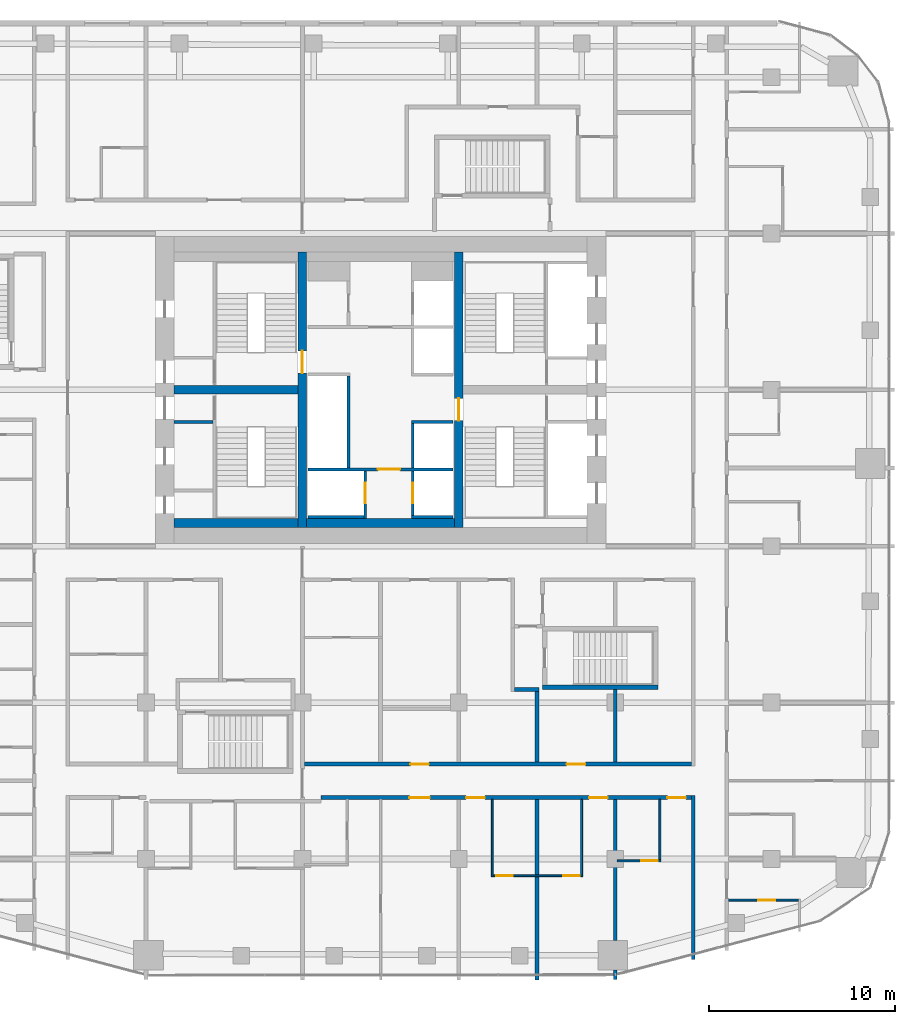
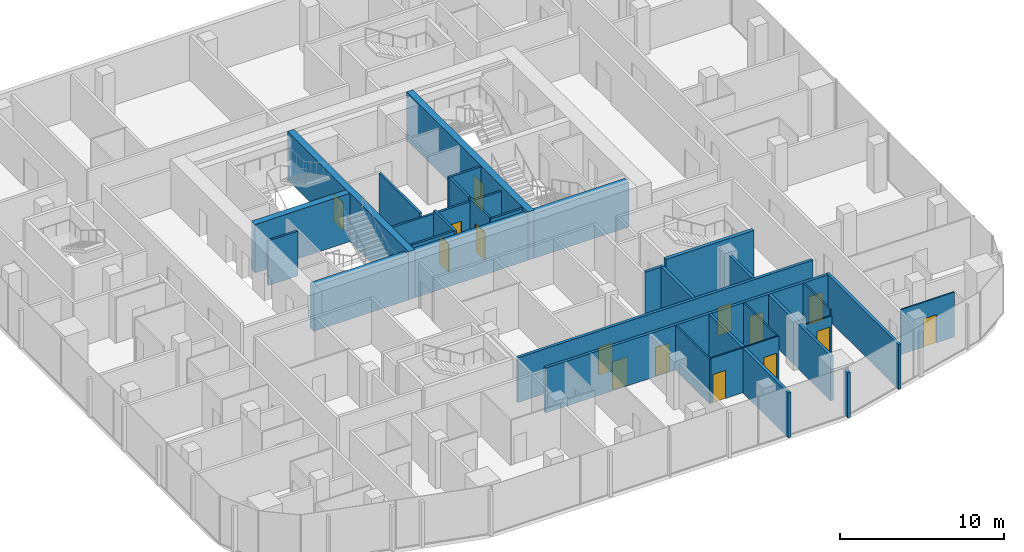
# One storey, part 16 of 23: 29 walls, 15 doors, 15 openings.
"""IFC4 building model written with IfcOpenShell, lengths in metres."""

from ifc_helpers import new_model, si_unit, direction, frame, frame_2d, origin, place, context, subcontext, project, spatial, rectangle, extrude, material, layer, layer_set, type_object, element, fill, save


model = new_model("IFC4")

# Units and contexts
model_context = context("Model", 3, precision=1e-05, world=origin(), true_north=direction((0.0, 1.0)))
body_context = subcontext(model_context, "Body", "Model", "MODEL_VIEW")
ifc_project = project(units=[si_unit("LENGTHUNIT", "METRE"), si_unit("AREAUNIT", "SQUARE_METRE"), si_unit("VOLUMEUNIT", "CUBIC_METRE"), si_unit("PLANEANGLEUNIT", "RADIAN"), si_unit("MASSUNIT", "GRAM", prefix="KILO")], contexts=[model_context])

# Site, building, storey
site_placement = place(None, origin())
site = spatial("IfcSite", under=ifc_project, at=site_placement, CompositionType="ELEMENT")
building_placement = place(site_placement, origin())
building = spatial("IfcBuilding", under=site, at=building_placement, Name="Marenta Gate Hotel Tower", CompositionType="ELEMENT")
storey_placement = place(building_placement, frame((0.0, 0.0, 155.300048828125)))
storey = spatial("IfcBuildingStorey", under=building, at=storey_placement, Name="L36", CompositionType="ELEMENT", Elevation=155.300048828125)

# Wall
ifc_material_1 = material(Name="Concrete C40", Category="concrete")
ifc_layer_1 = layer(ifc_material_1, 0.5)
ifc_layer_set_1 = layer_set([ifc_layer_1], Name="Concrete C40")
wall_type_1 = type_object("IfcWallType", Name="Core lining wall 500 REI 180", PredefinedType="PARTITIONING", material=ifc_layer_set_1)
wall_1_placement = place(storey_placement, frame((-11.10009765625, 1.25, 0.0), z_axis=(0.0, 0.0, 1.0), x_axis=(1.0, 0.0, 0.0)))
element("IfcWall", 1, at=wall_1_placement, inside=storey, type_object=wall_type_1, Name="L36-CP-LN-S", PredefinedType="PARTITIONING", context=body_context, shape_type="SweptSolid", body=[
    extrude(rectangle(XDim=22.2001953125, YDim=0.5, at=frame_2d((11.10009765625, 0.0))), origin(), (0.0, 0.0, 1.0), 3.33984375),
])

# Wall, opening, door
ifc_material_2 = material(Name="Concrete blockwork", Category="masonry")
ifc_layer_2 = layer(ifc_material_2, 0.14990234375)
ifc_layer_set_2 = layer_set([ifc_layer_2], Name="Concrete blockwork")
wall_type_2 = type_object("IfcWallType", Name="Core lobby partition 150 REI 180", PredefinedType="PARTITIONING", material=ifc_layer_set_2)
wall_2_placement = place(storey_placement, frame((-3.89990234375, 4.125, 0.0), z_axis=(0.0, 0.0, 1.0), x_axis=(1.0, 0.0, 0.0)))
wall_2 = element("IfcWall", 2, at=wall_2_placement, inside=storey, type_object=wall_type_2, Name="L36-CP-CW-S", PredefinedType="PARTITIONING", context=body_context, shape_type="SweptSolid", body=[
    extrude(rectangle(XDim=7.7998046875, YDim=0.14990234375, at=frame_2d((3.89990234375, 0.0))), origin(), (0.0, 0.0, 1.0), 3.33984375),
])
opening_1_placement = place(wall_2_placement, frame((3.75, 0.0, 0.0)))
opening_1 = element("IfcOpeningElement", 3, at=opening_1_placement, cuts=wall_2, Name="Opening FD-FFS", PredefinedType="OPENING", context=body_context, shape_type="SweptSolid", body=[
    extrude(rectangle(XDim=1.199951171875, YDim=2.10009765625, at=frame_2d((0.60009765625, 1.050048828125))), frame((0.0, 0.074951171875, 0.0), z_axis=(0.0, -1.0, 0.0), x_axis=(1.0, 0.0, 0.0)), (0.0, 0.0, 1.0), 0.14990234375),
])
ifc_material_3 = material(Name="Steel", Category="steel")
door_type_1 = type_object("IfcDoorType", Name="Core lobby door 1200x2100 FD60", OperationType="SINGLE_SWING_LEFT", PredefinedType="DOOR", material=ifc_material_3)
door_1_placement = place(opening_1_placement, origin())
door_1 = element("IfcDoor", 4, at=door_1_placement, inside=storey, type_object=door_type_1, Name="FD-FFS", OperationType="SINGLE_SWING_LEFT", OverallHeight=2.10009765625, OverallWidth=1.199951171875, PredefinedType="DOOR", context=body_context, shape_type="SweptSolid", body=[
    extrude(rectangle(XDim=1.199951171875, YDim=2.10009765625, at=frame_2d((0.60009765625, 1.050048828125))), frame((0.0, 0.02490234375, 0.0), z_axis=(0.0, -1.0, 0.0), x_axis=(1.0, 0.0, 0.0)), (0.0, 0.0, 1.0), 0.050048828125),
])
fill(opening_1, door_1)

# Wall
ifc_material_4 = material(Name="Concrete blockwork", Category="masonry")
ifc_layer_3 = layer(ifc_material_4, 0.14990234375)
ifc_layer_set_3 = layer_set([ifc_layer_3], Name="Concrete blockwork")
wall_type_3 = type_object("IfcWallType", Name="Core room partition 150 REI 180", PredefinedType="PARTITIONING", material=ifc_layer_set_3)
wall_3_placement = place(storey_placement, frame((-11.10009765625, 6.675048828125, 0.0), z_axis=(0.0, 0.0, 1.0), x_axis=(1.0, 0.0, 0.0)))
element("IfcWall", 5, at=wall_3_placement, inside=storey, type_object=wall_type_3, Name="L36-CP-SW-WS-2", PredefinedType="PARTITIONING", context=body_context, shape_type="SweptSolid", body=[
    extrude(rectangle(XDim=2.10009765625, YDim=0.14990234375, at=frame_2d((1.050048828125, 0.0))), origin(), (0.0, 0.0, 1.0), 3.33984375),
])

# Wall, opening, door
ifc_material_5 = material(Name="Concrete C40", Category="concrete")
ifc_layer_4 = layer(ifc_material_5, 0.14990234375)
ifc_layer_set_4 = layer_set([ifc_layer_4], Name="Concrete C40")
wall_type_4 = type_object("IfcWallType", Name="Core shaft wall 150 REI 180", PredefinedType="SHEAR", material=ifc_layer_set_4)
wall_4_placement = place(storey_placement, frame((-0.824951171875, 1.5, 0.0), z_axis=(0.0, 0.0, 1.0), x_axis=(0.0, 1.0, 0.0)))
wall_4 = element("IfcWall", 6, at=wall_4_placement, inside=storey, type_object=wall_type_4, Name="L36-SHF-CW-W-ff", PredefinedType="SHEAR", context=body_context, shape_type="SweptSolid", body=[
    extrude(rectangle(XDim=2.550048828125, YDim=0.14990234375, at=frame_2d((1.27490234375, 0.0))), origin(), (0.0, 0.0, 1.0), 3.599853515625),
])
opening_2_placement = place(wall_4_placement, frame((0.800048828125, 0.0, 0.0)))
opening_2 = element("IfcOpeningElement", 7, at=opening_2_placement, cuts=wall_4, Name="Opening LD-FF1", PredefinedType="OPENING", context=body_context, shape_type="SweptSolid", body=[
    extrude(rectangle(XDim=1.10009765625, YDim=2.10009765625, at=frame_2d((0.550048828125, 1.050048828125))), frame((0.0, 0.074951171875, 0.0), z_axis=(0.0, -1.0, 0.0), x_axis=(1.0, 0.0, 0.0)), (0.0, 0.0, 1.0), 0.14990234375),
])
ifc_material_6 = material(Name="Steel", Category="steel")
door_type_2 = type_object("IfcDoorType", Name="Core lift landing door 1100x2100 E 60", OperationType="SLIDING_TO_LEFT", PredefinedType="DOOR", material=ifc_material_6)
door_2_placement = place(opening_2_placement, origin())
door_2 = element("IfcDoor", 8, at=door_2_placement, inside=storey, type_object=door_type_2, Name="LD-FF1", OperationType="SLIDING_TO_LEFT", OverallHeight=2.10009765625, OverallWidth=1.10009765625, PredefinedType="DOOR", context=body_context, shape_type="SweptSolid", body=[
    extrude(rectangle(XDim=1.10009765625, YDim=2.10009765625, at=frame_2d((0.550048828125, 1.050048828125))), frame((0.0, 0.02490234375, 0.0), z_axis=(0.0, -1.0, 0.0), x_axis=(1.0, 0.0, 0.0)), (0.0, 0.0, 1.0), 0.050048828125),
])
fill(opening_2, door_2)

# Walls
wall_5_placement = place(storey_placement, frame((-3.89990234375, 1.574951171875, 0.0), z_axis=(0.0, 0.0, 1.0), x_axis=(1.0, 0.0, 0.0)))
element("IfcWall", 9, at=wall_5_placement, inside=storey, type_object=wall_type_4, Name="L36-SHF-CW-W-ffs", PredefinedType="SHEAR", context=body_context, shape_type="SweptSolid", body=[
    extrude(rectangle(XDim=3.0, YDim=0.14990234375, at=frame_2d((1.5, 0.0))), origin(), (0.0, 0.0, 1.0), 3.599853515625),
])
wall_6_placement = place(storey_placement, frame((-1.72509765625, 4.199951171875, 0.0), z_axis=(0.0, 0.0, 1.0), x_axis=(0.0, 1.0, 0.0)))
element("IfcWall", 10, at=wall_6_placement, inside=storey, type_object=wall_type_4, Name="L36-SHF-CW-W-front", PredefinedType="SHEAR", context=body_context, shape_type="SweptSolid", body=[
    extrude(rectangle(XDim=4.949951171875, YDim=0.14990234375, at=frame_2d((2.47509765625, 0.0))), origin(), (0.0, 0.0, 1.0), 3.599853515625),
])

# Wall, opening, door
wall_7_placement = place(storey_placement, frame((1.72509765625, 1.64990234375, 0.0), z_axis=(0.0, 0.0, 1.0), x_axis=(0.0, 1.0, 0.0)))
wall_7 = element("IfcWall", 11, at=wall_7_placement, inside=storey, type_object=wall_type_4, Name="L36-SHF-CE-S-ls", PredefinedType="SHEAR", context=body_context, shape_type="SweptSolid", body=[
    extrude(rectangle(XDim=2.400146484375, YDim=0.14990234375, at=frame_2d((1.2001953125, 0.0))), origin(), (0.0, 0.0, 1.0), 3.599853515625),
])
opening_3_placement = place(wall_7_placement, frame((0.64990234375, 0.0, 0.0)))
opening_3 = element("IfcOpeningElement", 12, at=opening_3_placement, cuts=wall_7, Name="Opening LD-SV1", PredefinedType="OPENING", context=body_context, shape_type="SweptSolid", body=[
    extrude(rectangle(XDim=1.10009765625, YDim=2.10009765625, at=frame_2d((0.550048828125, 1.050048828125))), frame((0.0, 0.074951171875, 0.0), z_axis=(0.0, -1.0, 0.0), x_axis=(1.0, 0.0, 0.0)), (0.0, 0.0, 1.0), 0.14990234375),
])
door_3_placement = place(opening_3_placement, origin())
door_3 = element("IfcDoor", 13, at=door_3_placement, inside=storey, type_object=door_type_2, Name="LD-SV1", OperationType="SLIDING_TO_LEFT", OverallHeight=2.10009765625, OverallWidth=1.10009765625, PredefinedType="DOOR", context=body_context, shape_type="SweptSolid", body=[
    extrude(rectangle(XDim=1.10009765625, YDim=2.10009765625, at=frame_2d((0.550048828125, 1.050048828125))), frame((0.0, 0.02490234375, 0.0), z_axis=(0.0, -1.0, 0.0), x_axis=(1.0, 0.0, 0.0)), (0.0, 0.0, 1.0), 0.050048828125),
])
fill(opening_3, door_3)

# Walls
for number, where, z_axis, x_axis, name in (
    (14, (1.64990234375, 1.574951171875, 0.0), (0.0, 0.0, 1.0), (1.0, 0.0, 0.0), "L36-SHF-CE-S-bot"),
    (15, (1.64990234375, 6.675048828125, 0.0), (0.0, 0.0, 1.0), (1.0, 0.0, 0.0), "L36-SHF-CE-sep1"),
):
    element("IfcWall", number, at=place(storey_placement, frame(where, z_axis=z_axis, x_axis=x_axis)), inside=storey, type_object=wall_type_4, Name=name, PredefinedType="SHEAR", context=body_context, shape_type="SweptSolid", body=[
        extrude(rectangle(XDim=2.25, YDim=0.14990234375, at=frame_2d((1.125, 0.0))), origin(), (0.0, 0.0, 1.0), 3.599853515625),
    ])
wall_8_placement = place(storey_placement, frame((1.72509765625, 4.199951171875, 0.0), z_axis=(0.0, 0.0, 1.0), x_axis=(0.0, 1.0, 0.0)))
element("IfcWall", 16, at=wall_8_placement, inside=storey, type_object=wall_type_4, Name="L36-SHF-CE-front-1", PredefinedType="SHEAR", context=body_context, shape_type="SweptSolid", body=[
    extrude(rectangle(XDim=2.400146484375, YDim=0.14990234375, at=frame_2d((1.2001953125, 0.0))), origin(), (0.0, 0.0, 1.0), 3.599853515625),
])

# Wall, opening, door
ifc_material_7 = material(Name="Concrete C70", Category="concrete")
ifc_layer_5 = layer(ifc_material_7, 0.449951171875)
ifc_layer_set_5 = layer_set([ifc_layer_5], Name="Concrete C70")
wall_type_5 = type_object("IfcWallType", Name="Core web 450 C70", PredefinedType="SHEAR", material=ifc_layer_set_5)
wall_9_placement = place(storey_placement, frame((-4.199951171875, 1.0, 0.0), z_axis=(0.0, 0.0, 1.0), x_axis=(0.0, 1.0, 0.0)))
wall_9 = element("IfcWall", 17, at=wall_9_placement, inside=storey, type_object=wall_type_5, Name="L36-CORE-W1", PredefinedType="SHEAR", context=body_context, shape_type="SweptSolid", body=[
    extrude(rectangle(XDim=14.800048828125, YDim=0.449951171875, at=frame_2d((7.39990234375, 0.0))), origin(), (0.0, 0.0, 1.0), 3.599853515625),
])
opening_4_placement = place(wall_9_placement, frame((8.300048828125, 0.0, 0.0)))
opening_4 = element("IfcOpeningElement", 18, at=opening_4_placement, cuts=wall_9, Name="Opening WD-W", PredefinedType="OPENING", context=body_context, shape_type="SweptSolid", body=[
    extrude(rectangle(XDim=1.199951171875, YDim=2.10009765625, at=frame_2d((0.60009765625, 1.050048828125))), frame((0.0, 0.22509765625, 0.0), z_axis=(0.0, -1.0, 0.0), x_axis=(1.0, 0.0, 0.0)), (0.0, 0.0, 1.0), 0.449951171875),
])
ifc_material_8 = material(Name="Steel", Category="steel")
door_type_3 = type_object("IfcDoorType", Name="Core stair door 1200x2100 FD60", OperationType="SINGLE_SWING_LEFT", PredefinedType="DOOR", material=ifc_material_8)
door_4_placement = place(opening_4_placement, origin())
door_4 = element("IfcDoor", 19, at=door_4_placement, inside=storey, type_object=door_type_3, Name="WD-W", OperationType="SINGLE_SWING_LEFT", OverallHeight=2.10009765625, OverallWidth=1.199951171875, PredefinedType="DOOR", context=body_context, shape_type="SweptSolid", body=[
    extrude(rectangle(XDim=1.199951171875, YDim=2.10009765625, at=frame_2d((0.60009765625, 1.050048828125))), frame((0.0, 0.02490234375, 0.0), z_axis=(0.0, -1.0, 0.0), x_axis=(1.0, 0.0, 0.0)), (0.0, 0.0, 1.0), 0.050048828125),
])
fill(opening_4, door_4)

wall_10_placement = place(storey_placement, frame((4.199951171875, 1.0, 0.0), z_axis=(0.0, 0.0, 1.0), x_axis=(0.0, 1.0, 0.0)))
wall_10 = element("IfcWall", 20, at=wall_10_placement, inside=storey, type_object=wall_type_5, Name="L36-CORE-W2", PredefinedType="SHEAR", context=body_context, shape_type="SweptSolid", body=[
    extrude(rectangle(XDim=14.800048828125, YDim=0.449951171875, at=frame_2d((7.39990234375, 0.0))), origin(), (0.0, 0.0, 1.0), 3.599853515625),
])
opening_5_placement = place(wall_10_placement, frame((5.75, 0.0, 0.0)))
opening_5 = element("IfcOpeningElement", 21, at=opening_5_placement, cuts=wall_10, Name="Opening WD-E", PredefinedType="OPENING", context=body_context, shape_type="SweptSolid", body=[
    extrude(rectangle(XDim=1.199951171875, YDim=2.10009765625, at=frame_2d((0.60009765625, 1.050048828125))), frame((0.0, 0.22509765625, 0.0), z_axis=(0.0, -1.0, 0.0), x_axis=(1.0, 0.0, 0.0)), (0.0, 0.0, 1.0), 0.449951171875),
])
door_5_placement = place(opening_5_placement, origin())
door_5 = element("IfcDoor", 22, at=door_5_placement, inside=storey, type_object=door_type_3, Name="WD-E", OperationType="SINGLE_SWING_LEFT", OverallHeight=2.10009765625, OverallWidth=1.199951171875, PredefinedType="DOOR", context=body_context, shape_type="SweptSolid", body=[
    extrude(rectangle(XDim=1.199951171875, YDim=2.10009765625, at=frame_2d((0.60009765625, 1.050048828125))), frame((0.0, 0.02490234375, 0.0), z_axis=(0.0, -1.0, 0.0), x_axis=(1.0, 0.0, 0.0)), (0.0, 0.0, 1.0), 0.050048828125),
])
fill(opening_5, door_5)

# Walls
wall_11_placement = place(storey_placement, frame((-11.10009765625, 8.39990234375, 0.0), z_axis=(0.0, 0.0, 1.0), x_axis=(1.0, 0.0, 0.0)))
element("IfcWall", 23, at=wall_11_placement, inside=storey, type_object=wall_type_5, Name="L36-CORE-W3", PredefinedType="SHEAR", context=body_context, shape_type="SweptSolid", body=[
    extrude(rectangle(XDim=6.675048828125, YDim=0.449951171875, at=frame_2d((3.33740234375, 0.0))), origin(), (0.0, 0.0, 1.0), 3.599853515625),
])
ifc_material_9 = material(Name="Concrete C40", Category="concrete")
ifc_layer_6 = layer(ifc_material_9, 0.25)
ifc_layer_set_6 = layer_set([ifc_layer_6], Name="Concrete C40")
wall_type_6 = type_object("IfcWallType", Name="Remote stair enclosure wall 250 REI 180", PredefinedType="SHEAR", material=ifc_layer_set_6)
wall_12_placement = place(storey_placement, frame((8.699951171875, -7.574951171875, 0.099853515625), z_axis=(0.0, 0.0, 1.0), x_axis=(1.0, 0.0, 0.0)))
element("IfcWall", 24, at=wall_12_placement, inside=storey, type_object=wall_type_6, Name="L36-RS-Z2-2-W1", PredefinedType="SHEAR", context=body_context, shape_type="SweptSolid", body=[
    extrude(rectangle(XDim=6.199951171875, YDim=0.25, at=frame_2d((3.10009765625, 0.0))), origin(), (0.0, 0.0, 1.0), 3.60009765625),
])

# Wall, openings, doors
ifc_material_10 = material(Name="Concrete blockwork", Category="masonry")
ifc_layer_7 = layer(ifc_material_10, 0.199951171875)
ifc_layer_set_7 = layer_set([ifc_layer_7], Name="Concrete blockwork")
wall_type_7 = type_object("IfcWallType", Name="Room corridor wall 200 EI 120", PredefinedType="PARTITIONING", material=ifc_layer_set_7)
wall_13_placement = place(storey_placement, frame((-4.10009765625, -11.699951171875, 0.0), z_axis=(0.0, 0.0, 1.0), x_axis=(1.0, 0.0, 0.0)))
wall_13 = element("IfcWall", 25, at=wall_13_placement, inside=storey, type_object=wall_type_7, Name="L36-PTN-W034", PredefinedType="PARTITIONING", context=body_context, shape_type="SweptSolid", body=[
    extrude(rectangle(XDim=20.800048828125, YDim=0.199951171875, at=frame_2d((10.39990234375, 0.0))), origin(), (0.0, 0.0, 1.0), 3.33984375),
])
opening_6_placement = place(wall_13_placement, frame((14.10009765625, 0.0, 0.0)))
opening_6 = element("IfcOpeningElement", 26, at=opening_6_placement, cuts=wall_13, Name="Opening G13-63", PredefinedType="OPENING", context=body_context, shape_type="SweptSolid", body=[
    extrude(rectangle(XDim=1.0, YDim=2.10009765625, at=frame_2d((0.5, 1.050048828125))), frame((0.0, 0.10009765625, 0.0), z_axis=(0.0, -1.0, 0.0), x_axis=(1.0, 0.0, 0.0)), (0.0, 0.0, 1.0), 0.199951171875),
])
opening_7_placement = place(wall_13_placement, frame((5.699951171875, 0.0, 0.0)))
opening_7 = element("IfcOpeningElement", 27, at=opening_7_placement, cuts=wall_13, Name="Opening G13-67", PredefinedType="OPENING", context=body_context, shape_type="SweptSolid", body=[
    extrude(rectangle(XDim=1.0, YDim=2.10009765625, at=frame_2d((0.5, 1.050048828125))), frame((0.0, 0.10009765625, 0.0), z_axis=(0.0, -1.0, 0.0), x_axis=(1.0, 0.0, 0.0)), (0.0, 0.0, 1.0), 0.199951171875),
])
ifc_material_11 = material(Name="Timber door leaf", Category="wood")
door_type_4 = type_object("IfcDoorType", Name="Room amenity door 1000x2100 EI 60", OperationType="NOTDEFINED", PredefinedType="DOOR", material=ifc_material_11)
door_6_placement = place(opening_6_placement, origin())
door_6 = element("IfcDoor", 28, at=door_6_placement, inside=storey, type_object=door_type_4, Name="L36-PD-D063", OperationType="SINGLE_SWING_LEFT", OverallHeight=2.10009765625, OverallWidth=1.0, PredefinedType="DOOR", context=body_context, shape_type="SweptSolid", body=[
    extrude(rectangle(XDim=1.0, YDim=2.10009765625, at=frame_2d((0.5, 1.050048828125))), frame((0.0, 0.02490234375, 0.0), z_axis=(0.0, -1.0, 0.0), x_axis=(1.0, 0.0, 0.0)), (0.0, 0.0, 1.0), 0.050048828125),
])
fill(opening_6, door_6)
door_7_placement = place(opening_7_placement, origin())
door_7 = element("IfcDoor", 29, at=door_7_placement, inside=storey, type_object=door_type_4, Name="L36-PD-D067", OperationType="SINGLE_SWING_LEFT", OverallHeight=2.10009765625, OverallWidth=1.0, PredefinedType="DOOR", context=body_context, shape_type="SweptSolid", body=[
    extrude(rectangle(XDim=1.0, YDim=2.10009765625, at=frame_2d((0.5, 1.050048828125))), frame((0.0, 0.02490234375, 0.0), z_axis=(0.0, -1.0, 0.0), x_axis=(1.0, 0.0, 0.0)), (0.0, 0.0, 1.0), 0.050048828125),
])
fill(opening_7, door_7)

# Wall
ifc_material_12 = material(Name="Gypsum board on steel stud", Category="steel")
ifc_layer_8 = layer(ifc_material_12, 0.199951171875)
ifc_layer_set_8 = layer_set([ifc_layer_8], Name="Gypsum board on steel stud")
wall_type_8 = type_object("IfcWallType", Name="Room corridor wall 200 EI 60", PredefinedType="PARTITIONING", material=ifc_layer_set_8)
wall_14_placement = place(storey_placement, frame((16.800048828125, -22.18603515625, 0.0), z_axis=(0.0, 0.0, 1.0), x_axis=(0.0, 1.0, 0.0)))
element("IfcWall", 30, at=wall_14_placement, inside=storey, type_object=wall_type_8, Name="L36-PTN-W015", PredefinedType="PARTITIONING", context=body_context, shape_type="SweptSolid", body=[
    extrude(rectangle(XDim=8.7861328125, YDim=0.199951171875, at=frame_2d((4.39306640625, 0.0))), origin(), (0.0, 0.0, 1.0), 3.33984375),
])

# Wall, openings, doors
wall_15_placement = place(storey_placement, frame((-3.199951171875, -13.5, 0.0), z_axis=(0.0, 0.0, 1.0), x_axis=(1.0, 0.0, 0.0)))
wall_15 = element("IfcWall", 31, at=wall_15_placement, inside=storey, type_object=wall_type_8, Name="L36-PTN-W026", PredefinedType="PARTITIONING", context=body_context, shape_type="SweptSolid", body=[
    extrude(rectangle(XDim=19.89990234375, YDim=0.199951171875, at=frame_2d((9.949951171875, 0.0))), origin(), (0.0, 0.0, 1.0), 3.33984375),
])
opening_8_placement = place(wall_15_placement, frame((4.75, 0.0, 0.0)))
opening_8 = element("IfcOpeningElement", 32, at=opening_8_placement, cuts=wall_15, Name="Opening G13-34", PredefinedType="OPENING", context=body_context, shape_type="SweptSolid", body=[
    extrude(rectangle(XDim=1.10009765625, YDim=2.10009765625, at=frame_2d((0.550048828125, 1.050048828125))), frame((0.0, 0.10009765625, 0.0), z_axis=(0.0, -1.0, 0.0), x_axis=(1.0, 0.0, 0.0)), (0.0, 0.0, 1.0), 0.199951171875),
])
opening_9_placement = place(wall_15_placement, frame((7.800048828125, 0.0, 0.0)))
opening_9 = element("IfcOpeningElement", 33, at=opening_9_placement, cuts=wall_15, Name="Opening G13-37", PredefinedType="OPENING", context=body_context, shape_type="SweptSolid", body=[
    extrude(rectangle(XDim=1.0, YDim=2.10009765625, at=frame_2d((0.5, 1.050048828125))), frame((0.0, 0.10009765625, 0.0), z_axis=(0.0, -1.0, 0.0), x_axis=(1.0, 0.0, 0.0)), (0.0, 0.0, 1.0), 0.199951171875),
])
opening_10_placement = place(wall_15_placement, frame((14.39990234375, 0.0, 0.0)))
opening_10 = element("IfcOpeningElement", 34, at=opening_10_placement, cuts=wall_15, Name="Opening G13-39", PredefinedType="OPENING", context=body_context, shape_type="SweptSolid", body=[
    extrude(rectangle(XDim=1.0, YDim=2.10009765625, at=frame_2d((0.5, 1.050048828125))), frame((0.0, 0.10009765625, 0.0), z_axis=(0.0, -1.0, 0.0), x_axis=(1.0, 0.0, 0.0)), (0.0, 0.0, 1.0), 0.199951171875),
])
opening_11_placement = place(wall_15_placement, frame((18.60009765625, 0.0, 0.0)))
opening_11 = element("IfcOpeningElement", 35, at=opening_11_placement, cuts=wall_15, Name="Opening G13-41", PredefinedType="OPENING", context=body_context, shape_type="SweptSolid", body=[
    extrude(rectangle(XDim=1.0, YDim=2.10009765625, at=frame_2d((0.5, 1.050048828125))), frame((0.0, 0.10009765625, 0.0), z_axis=(0.0, -1.0, 0.0), x_axis=(1.0, 0.0, 0.0)), (0.0, 0.0, 1.0), 0.199951171875),
])
ifc_material_13 = material(Name="Timber door leaf", Category="wood")
door_type_5 = type_object("IfcDoorType", Name="Guest room door 1000x2100 EI 30", OperationType="NOTDEFINED", PredefinedType="DOOR", material=ifc_material_13)
door_8_placement = place(opening_9_placement, origin())
door_8 = element("IfcDoor", 36, at=door_8_placement, inside=storey, type_object=door_type_5, Name="L36-PD-D037", OperationType="SINGLE_SWING_LEFT", OverallHeight=2.10009765625, OverallWidth=1.0, PredefinedType="DOOR", context=body_context, shape_type="SweptSolid", body=[
    extrude(rectangle(XDim=1.0, YDim=2.10009765625, at=frame_2d((0.5, 1.050048828125))), frame((0.0, 0.02490234375, 0.0), z_axis=(0.0, -1.0, 0.0), x_axis=(1.0, 0.0, 0.0)), (0.0, 0.0, 1.0), 0.050048828125),
])
fill(opening_9, door_8)
door_9_placement = place(opening_10_placement, origin())
door_9 = element("IfcDoor", 37, at=door_9_placement, inside=storey, type_object=door_type_5, Name="L36-PD-D039", OperationType="SINGLE_SWING_LEFT", OverallHeight=2.10009765625, OverallWidth=1.0, PredefinedType="DOOR", context=body_context, shape_type="SweptSolid", body=[
    extrude(rectangle(XDim=1.0, YDim=2.10009765625, at=frame_2d((0.5, 1.050048828125))), frame((0.0, 0.02490234375, 0.0), z_axis=(0.0, -1.0, 0.0), x_axis=(1.0, 0.0, 0.0)), (0.0, 0.0, 1.0), 0.050048828125),
])
fill(opening_10, door_9)
door_10_placement = place(opening_11_placement, origin())
door_10 = element("IfcDoor", 38, at=door_10_placement, inside=storey, type_object=door_type_5, Name="L36-PD-D041", OperationType="SINGLE_SWING_LEFT", OverallHeight=2.10009765625, OverallWidth=1.0, PredefinedType="DOOR", context=body_context, shape_type="SweptSolid", body=[
    extrude(rectangle(XDim=1.0, YDim=2.10009765625, at=frame_2d((0.5, 1.050048828125))), frame((0.0, 0.02490234375, 0.0), z_axis=(0.0, -1.0, 0.0), x_axis=(1.0, 0.0, 0.0)), (0.0, 0.0, 1.0), 0.050048828125),
])
fill(opening_11, door_10)
ifc_material_14 = material(Name="Timber door leaf", Category="wood")
door_type_6 = type_object("IfcDoorType", Name="Guest room door 1100x2100 EI 30", OperationType="NOTDEFINED", PredefinedType="DOOR", material=ifc_material_14)
door_11_placement = place(opening_8_placement, origin())
door_11 = element("IfcDoor", 39, at=door_11_placement, inside=storey, type_object=door_type_6, Name="L36-PD-D034", OperationType="SINGLE_SWING_RIGHT", OverallHeight=2.10009765625, OverallWidth=1.10009765625, PredefinedType="DOOR", context=body_context, shape_type="SweptSolid", body=[
    extrude(rectangle(XDim=1.10009765625, YDim=2.10009765625, at=frame_2d((0.550048828125, 1.050048828125))), frame((0.0, 0.02490234375, 0.0), z_axis=(0.0, -1.0, 0.0), x_axis=(1.0, 0.0, 0.0)), (0.0, 0.0, 1.0), 0.050048828125),
])
fill(opening_8, door_11)

# Wall, opening, door
ifc_material_15 = material(Name="Gypsum board on steel stud", Category="steel")
ifc_layer_9 = layer(ifc_material_15, 0.10009765625)
ifc_layer_set_9 = layer_set([ifc_layer_9], Name="Gypsum board on steel stud")
wall_type_9 = type_object("IfcWallType", Name="Room partition 100", PredefinedType="PARTITIONING", material=ifc_layer_set_9)
wall_16_placement = place(storey_placement, frame((18.699951171875, -19.008056640625, 0.0), z_axis=(0.0, 0.0, 1.0), x_axis=(1.0, 0.0, 0.0)))
wall_16 = element("IfcWall", 40, at=wall_16_placement, inside=storey, type_object=wall_type_9, Name="L36-PTN-W008", PredefinedType="PARTITIONING", context=body_context, shape_type="SweptSolid", body=[
    extrude(rectangle(XDim=3.75, YDim=0.10009765625, at=frame_2d((1.875, 0.0))), origin(), (0.0, 0.0, 1.0), 3.33984375),
])
opening_12_placement = place(wall_16_placement, frame((1.594970703125, 0.0, 0.0)))
opening_12 = element("IfcOpeningElement", 41, at=opening_12_placement, cuts=wall_16, Name="Opening G13-09", PredefinedType="OPENING", context=body_context, shape_type="SweptSolid", body=[
    extrude(rectangle(XDim=0.89990234375, YDim=2.10009765625, at=frame_2d((0.449951171875, 1.050048828125))), frame((0.0, 0.050048828125, 0.0), z_axis=(0.0, -1.0, 0.0), x_axis=(1.0, 0.0, 0.0)), (0.0, 0.0, 1.0), 0.10009765625),
])
ifc_material_16 = material(Name="Timber door leaf", Category="wood")
door_type_7 = type_object("IfcDoorType", Name="Guest bathroom door 900x2100", OperationType="NOTDEFINED", PredefinedType="DOOR", material=ifc_material_16)
door_12_placement = place(opening_12_placement, origin())
door_12 = element("IfcDoor", 42, at=door_12_placement, inside=storey, type_object=door_type_7, Name="L36-PD-D009", OperationType="SINGLE_SWING_RIGHT", OverallHeight=2.10009765625, OverallWidth=0.89990234375, PredefinedType="DOOR", context=body_context, shape_type="SweptSolid", body=[
    extrude(rectangle(XDim=0.89990234375, YDim=2.10009765625, at=frame_2d((0.449951171875, 1.050048828125))), frame((0.0, 0.02490234375, 0.0), z_axis=(0.0, -1.0, 0.0), x_axis=(1.0, 0.0, 0.0)), (0.0, 0.0, 1.0), 0.050048828125),
])
fill(opening_12, door_12)

# Wall, openings, doors
wall_17_placement = place(storey_placement, frame((6.050048828125, -17.699951171875, 0.0), z_axis=(0.0, 0.0, 1.0), x_axis=(1.0, 0.0, 0.0)))
wall_17 = element("IfcWall", 43, at=wall_17_placement, inside=storey, type_object=wall_type_9, Name="L36-PTN-W010", PredefinedType="PARTITIONING", context=body_context, shape_type="SweptSolid", body=[
    extrude(rectangle(XDim=4.800048828125, YDim=0.10009765625, at=frame_2d((2.39990234375, 0.0))), origin(), (0.0, 0.0, 1.0), 3.33984375),
])
opening_13_placement = place(wall_17_placement, frame((0.14990234375, 0.0, 0.0)))
opening_13 = element("IfcOpeningElement", 44, at=opening_13_placement, cuts=wall_17, Name="Opening G13-38", PredefinedType="OPENING", context=body_context, shape_type="SweptSolid", body=[
    extrude(rectangle(XDim=0.89990234375, YDim=2.10009765625, at=frame_2d((0.449951171875, 1.050048828125))), frame((0.0, 0.050048828125, 0.0), z_axis=(0.0, -1.0, 0.0), x_axis=(1.0, 0.0, 0.0)), (0.0, 0.0, 1.0), 0.10009765625),
])
opening_14_placement = place(wall_17_placement, frame((3.75, 0.0, 0.0)))
opening_14 = element("IfcOpeningElement", 45, at=opening_14_placement, cuts=wall_17, Name="Opening G13-40", PredefinedType="OPENING", context=body_context, shape_type="SweptSolid", body=[
    extrude(rectangle(XDim=0.89990234375, YDim=2.10009765625, at=frame_2d((0.449951171875, 1.050048828125))), frame((0.0, 0.050048828125, 0.0), z_axis=(0.0, -1.0, 0.0), x_axis=(1.0, 0.0, 0.0)), (0.0, 0.0, 1.0), 0.10009765625),
])
door_13_placement = place(opening_13_placement, origin())
door_13 = element("IfcDoor", 46, at=door_13_placement, inside=storey, type_object=door_type_7, Name="L36-PD-D038", OperationType="SINGLE_SWING_LEFT", OverallHeight=2.10009765625, OverallWidth=0.89990234375, PredefinedType="DOOR", context=body_context, shape_type="SweptSolid", body=[
    extrude(rectangle(XDim=0.89990234375, YDim=2.10009765625, at=frame_2d((0.449951171875, 1.050048828125))), frame((0.0, 0.02490234375, 0.0), z_axis=(0.0, -1.0, 0.0), x_axis=(1.0, 0.0, 0.0)), (0.0, 0.0, 1.0), 0.050048828125),
])
fill(opening_13, door_13)
door_14_placement = place(opening_14_placement, origin())
door_14 = element("IfcDoor", 47, at=door_14_placement, inside=storey, type_object=door_type_7, Name="L36-PD-D040", OperationType="SINGLE_SWING_RIGHT", OverallHeight=2.10009765625, OverallWidth=0.89990234375, PredefinedType="DOOR", context=body_context, shape_type="SweptSolid", body=[
    extrude(rectangle(XDim=0.89990234375, YDim=2.10009765625, at=frame_2d((0.449951171875, 1.050048828125))), frame((0.0, 0.02490234375, 0.0), z_axis=(0.0, -1.0, 0.0), x_axis=(1.0, 0.0, 0.0)), (0.0, 0.0, 1.0), 0.050048828125),
])
fill(opening_14, door_14)

# Wall, opening, door
wall_18_placement = place(storey_placement, frame((12.699951171875, -16.89990234375, 0.0), z_axis=(0.0, 0.0, 1.0), x_axis=(1.0, 0.0, 0.0)))
wall_18 = element("IfcWall", 48, at=wall_18_placement, inside=storey, type_object=wall_type_9, Name="L36-PTN-W014", PredefinedType="PARTITIONING", context=body_context, shape_type="SweptSolid", body=[
    extrude(rectangle(XDim=2.35009765625, YDim=0.10009765625, at=frame_2d((1.175048828125, 0.0))), origin(), (0.0, 0.0, 1.0), 2.889892578125),
])
opening_15_placement = place(wall_18_placement, frame((1.300048828125, 0.0, 0.0)))
opening_15 = element("IfcOpeningElement", 49, at=opening_15_placement, cuts=wall_18, Name="Opening G13-42", PredefinedType="OPENING", context=body_context, shape_type="SweptSolid", body=[
    extrude(rectangle(XDim=0.89990234375, YDim=2.10009765625, at=frame_2d((0.449951171875, 1.050048828125))), frame((0.0, 0.050048828125, 0.0), z_axis=(0.0, -1.0, 0.0), x_axis=(1.0, 0.0, 0.0)), (0.0, 0.0, 1.0), 0.10009765625),
])
door_15_placement = place(opening_15_placement, origin())
door_15 = element("IfcDoor", 50, at=door_15_placement, inside=storey, type_object=door_type_7, Name="L36-PD-D042", OperationType="SINGLE_SWING_RIGHT", OverallHeight=2.10009765625, OverallWidth=0.89990234375, PredefinedType="DOOR", context=body_context, shape_type="SweptSolid", body=[
    extrude(rectangle(XDim=0.89990234375, YDim=2.10009765625, at=frame_2d((0.449951171875, 1.050048828125))), frame((0.0, 0.02490234375, 0.0), z_axis=(0.0, -1.0, 0.0), x_axis=(1.0, 0.0, 0.0)), (0.0, 0.0, 1.0), 0.050048828125),
])
fill(opening_15, door_15)

# Walls
wall_19_placement = place(storey_placement, frame((15.0, -16.85009765625, 0.0), z_axis=(0.0, 0.0, 1.0), x_axis=(0.0, 1.0, 0.0)))
element("IfcWall", 51, at=wall_19_placement, inside=storey, type_object=wall_type_9, Name="L36-PTN-W021", PredefinedType="PARTITIONING", context=body_context, shape_type="SweptSolid", body=[
    extrude(rectangle(XDim=3.25, YDim=0.10009765625, at=frame_2d((1.625, 0.0))), origin(), (0.0, 0.0, 1.0), 3.33984375),
])
wall_20_placement = place(storey_placement, frame((10.800048828125, -17.64990234375, 0.0), z_axis=(0.0, 0.0, 1.0), x_axis=(0.0, 1.0, 0.0)))
element("IfcWall", 52, at=wall_20_placement, inside=storey, type_object=wall_type_9, Name="L36-PTN-W035", PredefinedType="PARTITIONING", context=body_context, shape_type="SweptSolid", body=[
    extrude(rectangle(XDim=4.0498046875, YDim=0.10009765625, at=frame_2d((2.02490234375, 0.0))), origin(), (0.0, 0.0, 1.0), 3.33984375),
])
wall_21_placement = place(storey_placement, frame((6.0, -17.75, 0.0), z_axis=(0.0, 0.0, 1.0), x_axis=(0.0, 1.0, 0.0)))
element("IfcWall", 53, at=wall_21_placement, inside=storey, type_object=wall_type_9, Name="L36-PTN-W052", PredefinedType="PARTITIONING", context=body_context, shape_type="SweptSolid", body=[
    extrude(rectangle(XDim=4.14990234375, YDim=0.10009765625, at=frame_2d((2.074951171875, 0.0))), origin(), (0.0, 0.0, 1.0), 3.33984375),
])
ifc_material_17 = material(Name="Gypsum board on steel stud", Category="steel")
ifc_layer_10 = layer(ifc_material_17, 0.199951171875)
ifc_layer_set_10 = layer_set([ifc_layer_10], Name="Gypsum board on steel stud")
wall_type_10 = type_object("IfcWallType", Name="Room party wall 200 EI 60", PredefinedType="PARTITIONING", material=ifc_layer_set_10)
wall_22_placement = place(storey_placement, frame((12.60009765625, -23.26611328125, 0.0), z_axis=(0.0, 0.0, 1.0), x_axis=(0.0, 1.0, 0.0)))
element("IfcWall", 54, at=wall_22_placement, inside=storey, type_object=wall_type_10, Name="L36-PTN-W027", PredefinedType="PARTITIONING", context=body_context, shape_type="SweptSolid", body=[
    extrude(rectangle(XDim=0.4912109375, YDim=0.199951171875, at=frame_2d((0.24560546875, 0.0))), origin(), (0.0, 0.0, 1.0), 3.33984375),
])
wall_23_placement = place(storey_placement, frame((12.60009765625, -21.175048828125, 0.0), z_axis=(0.0, 0.0, 1.0), x_axis=(0.0, 1.0, 0.0)))
element("IfcWall", 55, at=wall_23_placement, inside=storey, type_object=wall_type_10, Name="L36-PTN-W122", PredefinedType="PARTITIONING", context=body_context, shape_type="SweptSolid", body=[
    extrude(rectangle(XDim=7.574951171875, YDim=0.199951171875, at=frame_2d((3.78759765625, 0.0))), origin(), (0.0, 0.0, 1.0), 3.33984375),
])
wall_24_placement = place(storey_placement, frame((12.60009765625, -11.60009765625, 0.0), z_axis=(0.0, 0.0, 1.0), x_axis=(0.0, 1.0, 0.0)))
element("IfcWall", 56, at=wall_24_placement, inside=storey, type_object=wall_type_10, Name="L36-PTN-W028", PredefinedType="PARTITIONING", context=body_context, shape_type="SweptSolid", body=[
    extrude(rectangle(XDim=3.900146484375, YDim=0.199951171875, at=frame_2d((1.9501953125, 0.0))), origin(), (0.0, 0.0, 1.0), 3.33984375),
])
wall_25_placement = place(storey_placement, frame((8.39990234375, -23.300048828125, 0.0), z_axis=(0.0, 0.0, 1.0), x_axis=(0.0, 1.0, 0.0)))
element("IfcWall", 57, at=wall_25_placement, inside=storey, type_object=wall_type_10, Name="L36-PTN-W041", PredefinedType="PARTITIONING", context=body_context, shape_type="SweptSolid", body=[
    extrude(rectangle(XDim=9.699951171875, YDim=0.199951171875, at=frame_2d((4.85009765625, 0.0))), origin(), (0.0, 0.0, 1.0), 3.33984375),
])
wall_26_placement = place(storey_placement, frame((8.39990234375, -11.60009765625, 0.0), z_axis=(0.0, 0.0, 1.0), x_axis=(0.0, 1.0, 0.0)))
element("IfcWall", 58, at=wall_26_placement, inside=storey, type_object=wall_type_10, Name="L36-PTN-W042", PredefinedType="PARTITIONING", context=body_context, shape_type="SweptSolid", body=[
    extrude(rectangle(XDim=3.800048828125, YDim=0.199951171875, at=frame_2d((1.89990234375, 0.0))), origin(), (0.0, 0.0, 1.0), 3.33984375),
])
ifc_material_18 = material(Name="Concrete blockwork", Category="masonry")
ifc_layer_11 = layer(ifc_material_18, 0.199951171875)
ifc_layer_set_11 = layer_set([ifc_layer_11], Name="Concrete blockwork")
wall_type_11 = type_object("IfcWallType", Name="Room party wall 200 REI 180", PredefinedType="PARTITIONING", material=ifc_layer_set_11)
wall_27_placement = place(storey_placement, frame((7.199951171875, -7.699951171875, 0.0), z_axis=(0.0, 0.0, 1.0), x_axis=(1.0, 0.0, 0.0)))
element("IfcWall", 59, at=wall_27_placement, inside=storey, type_object=wall_type_11, Name="L36-PTN-W046", PredefinedType="PARTITIONING", context=body_context, shape_type="SweptSolid", body=[
    extrude(rectangle(XDim=1.300048828125, YDim=0.199951171875, at=frame_2d((0.64990234375, 0.0))), origin(), (0.0, 0.0, 1.0), 3.33984375),
])

save(model, "model.ifc")
